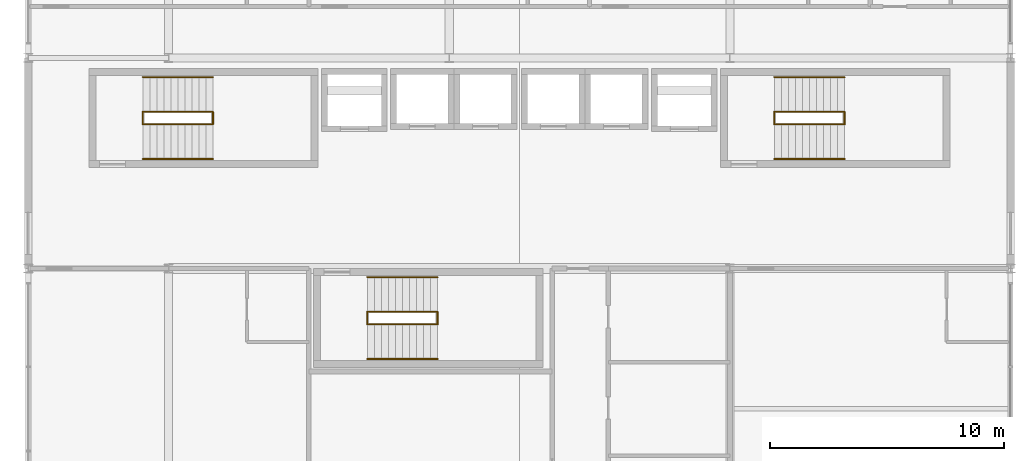
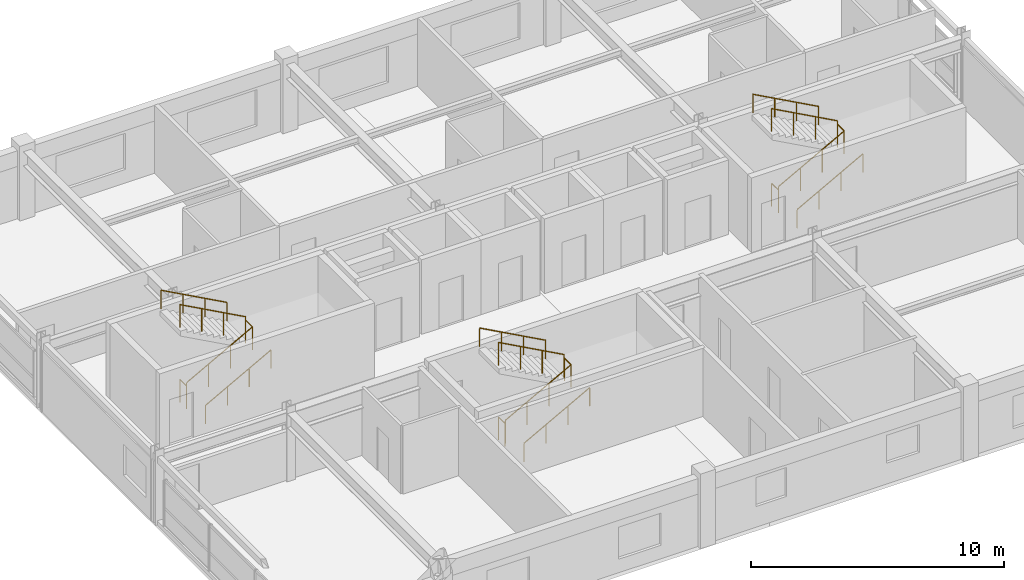
# One storey, part 22 of 22: 18 railings.
"""IFC4 building model written with IfcOpenShell, lengths in metres."""

from ifc_helpers import new_model, si_unit, direction, frame, origin, origin_2d, place, context, subcontext, project, spatial, circle, extrude, material, type_object, element, save


model = new_model("IFC4")

# Units and contexts
model_context = context("Model", 3, precision=1e-05, world=origin(), true_north=direction((0.0, 1.0)))
body_context = subcontext(model_context, "Body", "Model", "MODEL_VIEW")
ifc_project = project(units=[si_unit("LENGTHUNIT", "METRE"), si_unit("AREAUNIT", "SQUARE_METRE"), si_unit("VOLUMEUNIT", "CUBIC_METRE"), si_unit("PLANEANGLEUNIT", "RADIAN"), si_unit("MASSUNIT", "GRAM", prefix="KILO")], contexts=[model_context])

# Site, building, storey
site_placement = place(None, origin())
site = spatial("IfcSite", under=ifc_project, at=site_placement, CompositionType="ELEMENT")
building_placement = place(site_placement, origin())
building = spatial("IfcBuilding", under=site, at=building_placement, Name="Kaldorvane Square Convention Centre", CompositionType="ELEMENT")
storey_placement = place(building_placement, frame((0.0, 0.0, 63.600006103515625)))
storey = spatial("IfcBuildingStorey", under=building, at=storey_placement, Name="L15", CompositionType="ELEMENT", Elevation=63.600006103515625)

# Railings
ifc_material = material(Name="Architectural Painted Steel", Category="steel")
railing_type_1 = type_object("IfcRailingType", Name="RL-GUARD-1120", PredefinedType="BALUSTRADE", material=ifc_material)
for number, where, name in (
    (1, (40.899993896484375, 102.16999816894531, 0.0), "Tower Exit Stair T1 Floor Well Guard (L15)"),
    (2, (43.899993896484375, 102.16999816894531, 1.79998779296875), "Tower Exit Stair T1 Half-Landing Guard (L15)"),
):
    element("IfcRailing", number, at=place(storey_placement, frame(where)), inside=storey, type_object=railing_type_1, Name=name, PredefinedType="BALUSTRADE", context=body_context, shape_type="SweptSolid", body=[
        extrude(circle(Radius=0.0240020751953125, at=origin_2d()), frame((0.0, 0.0, 1.0959930419921875), z_axis=(0.0, 1.0, 0.0), x_axis=(-1.0, 0.0, 0.0)), (0.0, 0.0, 1.0), 0.5200042724609375),
        extrude(circle(Radius=0.02099609375, at=origin_2d()), origin(), (0.0, 0.0, 1.0), 1.071990966796875),
        extrude(circle(Radius=0.02099609375, at=origin_2d()), frame((0.0, 0.5200042724609375, 0.0)), (0.0, 0.0, 1.0), 1.071990966796875),
    ])
railing_1_placement = place(storey_placement, frame((40.899993896484375, 102.16000366210938, 0.16363525390625)))
element("IfcRailing", 3, at=railing_1_placement, inside=storey, type_object=railing_type_1, Name="Tower Exit Stair T1 Flight 1 Guard (L15)", PredefinedType="BALUSTRADE", context=body_context, shape_type="SweptSolid", body=[
    extrude(circle(Radius=0.0240020751953125, at=origin_2d()), frame((0.0, 0.0, 1.0959930419921875), z_axis=(0.877896938072, 0.0, 0.478849627883), x_axis=(0.0, 1.0, 0.0)), (0.0, 0.0, 1.0), 3.4172515869140625),
    extrude(circle(Radius=0.02099609375, at=origin_2d()), origin(), (0.0, 0.0, 1.0), 1.071990966796875),
    extrude(circle(Radius=0.02099609375, at=origin_2d()), frame((1.0, 0.0, 0.5454559326171875)), (0.0, 0.0, 1.0), 1.071990966796875),
    extrude(circle(Radius=0.02099609375, at=origin_2d()), frame((2.0, 0.0, 1.0908966064453125)), (0.0, 0.0, 1.0), 1.071990966796875),
    extrude(circle(Radius=0.02099609375, at=origin_2d()), frame((3.0, 0.0, 1.6363525390625)), (0.0, 0.0, 1.0), 1.071990966796875),
])
railing_2_placement = place(storey_placement, frame((43.899993896484375, 102.69999694824219, 1.963623046875)))
element("IfcRailing", 4, at=railing_2_placement, inside=storey, type_object=railing_type_1, Name="Tower Exit Stair T1 Flight 2 Guard (L15)", PredefinedType="BALUSTRADE", context=body_context, shape_type="SweptSolid", body=[
    extrude(circle(Radius=0.0240020751953125, at=origin_2d()), frame((0.0, 0.0, 1.0959930419921875), z_axis=(-0.87789506098, 0.0, 0.478853069227), x_axis=(0.0, -1.0, 0.0)), (0.0, 0.0, 1.0), 3.417266845703125),
    extrude(circle(Radius=0.02099609375, at=origin_2d()), origin(), (0.0, 0.0, 1.0), 1.071990966796875),
    extrude(circle(Radius=0.02099609375, at=origin_2d()), frame((-1.0, 0.0, 0.5454559326171875)), (0.0, 0.0, 1.0), 1.071990966796875),
    extrude(circle(Radius=0.02099609375, at=origin_2d()), frame((-2.0, 0.0, 1.090911865234375)), (0.0, 0.0, 1.0), 1.071990966796875),
    extrude(circle(Radius=0.02099609375, at=origin_2d()), frame((-3.0, 0.0, 1.6363677978515625)), (0.0, 0.0, 1.0), 1.071990966796875),
])
for number, where, name in (
    (5, (67.89999389648438, 102.16999816894531, 0.0), "Tower Exit Stair T2 Floor Well Guard (L15)"),
    (6, (70.89999389648438, 102.16999816894531, 1.79998779296875), "Tower Exit Stair T2 Half-Landing Guard (L15)"),
):
    element("IfcRailing", number, at=place(storey_placement, frame(where)), inside=storey, type_object=railing_type_1, Name=name, PredefinedType="BALUSTRADE", context=body_context, shape_type="SweptSolid", body=[
        extrude(circle(Radius=0.0240020751953125, at=origin_2d()), frame((0.0, 0.0, 1.0959930419921875), z_axis=(0.0, 1.0, 0.0), x_axis=(-1.0, 0.0, 0.0)), (0.0, 0.0, 1.0), 0.5200042724609375),
        extrude(circle(Radius=0.02099609375, at=origin_2d()), origin(), (0.0, 0.0, 1.0), 1.071990966796875),
        extrude(circle(Radius=0.02099609375, at=origin_2d()), frame((0.0, 0.5200042724609375, 0.0)), (0.0, 0.0, 1.0), 1.071990966796875),
    ])
railing_3_placement = place(storey_placement, frame((67.89999389648438, 102.16000366210938, 0.16363525390625)))
element("IfcRailing", 7, at=railing_3_placement, inside=storey, type_object=railing_type_1, Name="Tower Exit Stair T2 Flight 1 Guard (L15)", PredefinedType="BALUSTRADE", context=body_context, shape_type="SweptSolid", body=[
    extrude(circle(Radius=0.0240020751953125, at=origin_2d()), frame((0.0, 0.0, 1.0959930419921875), z_axis=(0.877896938072, 0.0, 0.478849627883), x_axis=(0.0, 1.0, 0.0)), (0.0, 0.0, 1.0), 3.4172515869140625),
    extrude(circle(Radius=0.02099609375, at=origin_2d()), origin(), (0.0, 0.0, 1.0), 1.071990966796875),
    extrude(circle(Radius=0.02099609375, at=origin_2d()), frame((1.0, 0.0, 0.5454559326171875)), (0.0, 0.0, 1.0), 1.071990966796875),
    extrude(circle(Radius=0.02099609375, at=origin_2d()), frame((2.0, 0.0, 1.0908966064453125)), (0.0, 0.0, 1.0), 1.071990966796875),
    extrude(circle(Radius=0.02099609375, at=origin_2d()), frame((3.0, 0.0, 1.6363525390625)), (0.0, 0.0, 1.0), 1.071990966796875),
])
railing_4_placement = place(storey_placement, frame((70.89999389648438, 102.69999694824219, 1.963623046875)))
element("IfcRailing", 8, at=railing_4_placement, inside=storey, type_object=railing_type_1, Name="Tower Exit Stair T2 Flight 2 Guard (L15)", PredefinedType="BALUSTRADE", context=body_context, shape_type="SweptSolid", body=[
    extrude(circle(Radius=0.0240020751953125, at=origin_2d()), frame((0.0, 0.0, 1.0959930419921875), z_axis=(-0.87789506098, 0.0, 0.478853069227), x_axis=(0.0, -1.0, 0.0)), (0.0, 0.0, 1.0), 3.417266845703125),
    extrude(circle(Radius=0.02099609375, at=origin_2d()), origin(), (0.0, 0.0, 1.0), 1.071990966796875),
    extrude(circle(Radius=0.02099609375, at=origin_2d()), frame((-1.0, 0.0, 0.5454559326171875)), (0.0, 0.0, 1.0), 1.071990966796875),
    extrude(circle(Radius=0.02099609375, at=origin_2d()), frame((-2.0, 0.0, 1.090911865234375)), (0.0, 0.0, 1.0), 1.071990966796875),
    extrude(circle(Radius=0.02099609375, at=origin_2d()), frame((-3.0, 0.0, 1.6363677978515625)), (0.0, 0.0, 1.0), 1.071990966796875),
])
for number, where, name in (
    (9, (50.5, 93.6199951171875, 0.0), "Tower Exit Stair T3 Floor Well Guard (L15)"),
    (10, (53.5, 93.6199951171875, 1.79998779296875), "Tower Exit Stair T3 Half-Landing Guard (L15)"),
):
    element("IfcRailing", number, at=place(storey_placement, frame(where)), inside=storey, type_object=railing_type_1, Name=name, PredefinedType="BALUSTRADE", context=body_context, shape_type="SweptSolid", body=[
        extrude(circle(Radius=0.0240020751953125, at=origin_2d()), frame((0.0, 0.0, 1.0959930419921875), z_axis=(0.0, 1.0, 0.0), x_axis=(-1.0, 0.0, 0.0)), (0.0, 0.0, 1.0), 0.5200042724609375),
        extrude(circle(Radius=0.02099609375, at=origin_2d()), origin(), (0.0, 0.0, 1.0), 1.071990966796875),
        extrude(circle(Radius=0.02099609375, at=origin_2d()), frame((0.0, 0.5200042724609375, 0.0)), (0.0, 0.0, 1.0), 1.071990966796875),
    ])
railing_5_placement = place(storey_placement, frame((50.5, 93.61000061035156, 0.16363525390625)))
element("IfcRailing", 11, at=railing_5_placement, inside=storey, type_object=railing_type_1, Name="Tower Exit Stair T3 Flight 1 Guard (L15)", PredefinedType="BALUSTRADE", context=body_context, shape_type="SweptSolid", body=[
    extrude(circle(Radius=0.0240020751953125, at=origin_2d()), frame((0.0, 0.0, 1.0959930419921875), z_axis=(0.877896938072, 0.0, 0.478849627883), x_axis=(0.0, 1.0, 0.0)), (0.0, 0.0, 1.0), 3.4172515869140625),
    extrude(circle(Radius=0.02099609375, at=origin_2d()), origin(), (0.0, 0.0, 1.0), 1.071990966796875),
    extrude(circle(Radius=0.02099609375, at=origin_2d()), frame((1.0, 0.0, 0.5454559326171875)), (0.0, 0.0, 1.0), 1.071990966796875),
    extrude(circle(Radius=0.02099609375, at=origin_2d()), frame((2.0, 0.0, 1.0908966064453125)), (0.0, 0.0, 1.0), 1.071990966796875),
    extrude(circle(Radius=0.02099609375, at=origin_2d()), frame((3.0, 0.0, 1.6363525390625)), (0.0, 0.0, 1.0), 1.071990966796875),
])
railing_6_placement = place(storey_placement, frame((53.5, 94.14999389648438, 1.963623046875)))
element("IfcRailing", 12, at=railing_6_placement, inside=storey, type_object=railing_type_1, Name="Tower Exit Stair T3 Flight 2 Guard (L15)", PredefinedType="BALUSTRADE", context=body_context, shape_type="SweptSolid", body=[
    extrude(circle(Radius=0.0240020751953125, at=origin_2d()), frame((0.0, 0.0, 1.0959930419921875), z_axis=(-0.87789506098, 0.0, 0.478853069227), x_axis=(0.0, -1.0, 0.0)), (0.0, 0.0, 1.0), 3.417266845703125),
    extrude(circle(Radius=0.02099609375, at=origin_2d()), origin(), (0.0, 0.0, 1.0), 1.071990966796875),
    extrude(circle(Radius=0.02099609375, at=origin_2d()), frame((-1.0, 0.0, 0.5454559326171875)), (0.0, 0.0, 1.0), 1.071990966796875),
    extrude(circle(Radius=0.02099609375, at=origin_2d()), frame((-2.0, 0.0, 1.090911865234375)), (0.0, 0.0, 1.0), 1.071990966796875),
    extrude(circle(Radius=0.02099609375, at=origin_2d()), frame((-3.0, 0.0, 1.6363677978515625)), (0.0, 0.0, 1.0), 1.071990966796875),
])
railing_type_2 = type_object("IfcRailingType", Name="RL-HAND-915", PredefinedType="HANDRAIL", material=ifc_material)
railing_7_placement = place(storey_placement, frame((40.899993896484375, 100.67999267578125, 0.16363525390625)))
element("IfcRailing", 13, at=railing_7_placement, inside=storey, type_object=railing_type_2, Name="Tower Exit Stair T1 Wall Handrail 1 (L15)", PredefinedType="HANDRAIL", context=body_context, shape_type="SweptSolid", body=[
    extrude(circle(Radius=0.0240020751953125, at=origin_2d()), frame((0.0, 0.0, 0.8909912109375), z_axis=(0.877896938072, 0.0, 0.478849627883), x_axis=(0.0, 1.0, 0.0)), (0.0, 0.0, 1.0), 3.4172515869140625),
    extrude(circle(Radius=0.02099609375, at=origin_2d()), origin(), (0.0, 0.0, 1.0), 0.8669891357421875),
    extrude(circle(Radius=0.02099609375, at=origin_2d()), frame((1.0, 0.0, 0.5454559326171875)), (0.0, 0.0, 1.0), 0.8669891357421875),
    extrude(circle(Radius=0.02099609375, at=origin_2d()), frame((2.0, 0.0, 1.0908966064453125)), (0.0, 0.0, 1.0), 0.8669891357421875),
    extrude(circle(Radius=0.02099609375, at=origin_2d()), frame((3.0, 0.0, 1.6363525390625)), (0.0, 0.0, 1.0), 0.8669891357421875),
])
railing_8_placement = place(storey_placement, frame((43.899993896484375, 104.17999267578125, 1.963623046875)))
element("IfcRailing", 14, at=railing_8_placement, inside=storey, type_object=railing_type_2, Name="Tower Exit Stair T1 Wall Handrail 2 (L15)", PredefinedType="HANDRAIL", context=body_context, shape_type="SweptSolid", body=[
    extrude(circle(Radius=0.0240020751953125, at=origin_2d()), frame((0.0, 0.0, 0.8909912109375), z_axis=(-0.87789506098, 0.0, 0.478853069227), x_axis=(0.0, -1.0, 0.0)), (0.0, 0.0, 1.0), 3.417266845703125),
    extrude(circle(Radius=0.02099609375, at=origin_2d()), origin(), (0.0, 0.0, 1.0), 0.8669891357421875),
    extrude(circle(Radius=0.02099609375, at=origin_2d()), frame((-1.0, 0.0, 0.5454559326171875)), (0.0, 0.0, 1.0), 0.8669891357421875),
    extrude(circle(Radius=0.02099609375, at=origin_2d()), frame((-2.0, 0.0, 1.090911865234375)), (0.0, 0.0, 1.0), 0.8669891357421875),
    extrude(circle(Radius=0.02099609375, at=origin_2d()), frame((-3.0, 0.0, 1.6363677978515625)), (0.0, 0.0, 1.0), 0.8669891357421875),
])
railing_9_placement = place(storey_placement, frame((67.89999389648438, 100.67999267578125, 0.16363525390625)))
element("IfcRailing", 15, at=railing_9_placement, inside=storey, type_object=railing_type_2, Name="Tower Exit Stair T2 Wall Handrail 1 (L15)", PredefinedType="HANDRAIL", context=body_context, shape_type="SweptSolid", body=[
    extrude(circle(Radius=0.0240020751953125, at=origin_2d()), frame((0.0, 0.0, 0.8909912109375), z_axis=(0.877896938072, 0.0, 0.478849627883), x_axis=(0.0, 1.0, 0.0)), (0.0, 0.0, 1.0), 3.4172515869140625),
    extrude(circle(Radius=0.02099609375, at=origin_2d()), origin(), (0.0, 0.0, 1.0), 0.8669891357421875),
    extrude(circle(Radius=0.02099609375, at=origin_2d()), frame((1.0, 0.0, 0.5454559326171875)), (0.0, 0.0, 1.0), 0.8669891357421875),
    extrude(circle(Radius=0.02099609375, at=origin_2d()), frame((2.0, 0.0, 1.0908966064453125)), (0.0, 0.0, 1.0), 0.8669891357421875),
    extrude(circle(Radius=0.02099609375, at=origin_2d()), frame((3.0, 0.0, 1.6363525390625)), (0.0, 0.0, 1.0), 0.8669891357421875),
])
railing_10_placement = place(storey_placement, frame((70.89999389648438, 104.17999267578125, 1.963623046875)))
element("IfcRailing", 16, at=railing_10_placement, inside=storey, type_object=railing_type_2, Name="Tower Exit Stair T2 Wall Handrail 2 (L15)", PredefinedType="HANDRAIL", context=body_context, shape_type="SweptSolid", body=[
    extrude(circle(Radius=0.0240020751953125, at=origin_2d()), frame((0.0, 0.0, 0.8909912109375), z_axis=(-0.87789506098, 0.0, 0.478853069227), x_axis=(0.0, -1.0, 0.0)), (0.0, 0.0, 1.0), 3.417266845703125),
    extrude(circle(Radius=0.02099609375, at=origin_2d()), origin(), (0.0, 0.0, 1.0), 0.8669891357421875),
    extrude(circle(Radius=0.02099609375, at=origin_2d()), frame((-1.0, 0.0, 0.5454559326171875)), (0.0, 0.0, 1.0), 0.8669891357421875),
    extrude(circle(Radius=0.02099609375, at=origin_2d()), frame((-2.0, 0.0, 1.090911865234375)), (0.0, 0.0, 1.0), 0.8669891357421875),
    extrude(circle(Radius=0.02099609375, at=origin_2d()), frame((-3.0, 0.0, 1.6363677978515625)), (0.0, 0.0, 1.0), 0.8669891357421875),
])
railing_11_placement = place(storey_placement, frame((50.5, 92.1300048828125, 0.16363525390625)))
element("IfcRailing", 17, at=railing_11_placement, inside=storey, type_object=railing_type_2, Name="Tower Exit Stair T3 Wall Handrail 1 (L15)", PredefinedType="HANDRAIL", context=body_context, shape_type="SweptSolid", body=[
    extrude(circle(Radius=0.0240020751953125, at=origin_2d()), frame((0.0, 0.0, 0.8909912109375), z_axis=(0.877896938072, 0.0, 0.478849627883), x_axis=(0.0, 1.0, 0.0)), (0.0, 0.0, 1.0), 3.4172515869140625),
    extrude(circle(Radius=0.02099609375, at=origin_2d()), origin(), (0.0, 0.0, 1.0), 0.8669891357421875),
    extrude(circle(Radius=0.02099609375, at=origin_2d()), frame((1.0, 0.0, 0.5454559326171875)), (0.0, 0.0, 1.0), 0.8669891357421875),
    extrude(circle(Radius=0.02099609375, at=origin_2d()), frame((2.0, 0.0, 1.0908966064453125)), (0.0, 0.0, 1.0), 0.8669891357421875),
    extrude(circle(Radius=0.02099609375, at=origin_2d()), frame((3.0, 0.0, 1.6363525390625)), (0.0, 0.0, 1.0), 0.8669891357421875),
])
railing_12_placement = place(storey_placement, frame((53.5, 95.6300048828125, 1.963623046875)))
element("IfcRailing", 18, at=railing_12_placement, inside=storey, type_object=railing_type_2, Name="Tower Exit Stair T3 Wall Handrail 2 (L15)", PredefinedType="HANDRAIL", context=body_context, shape_type="SweptSolid", body=[
    extrude(circle(Radius=0.0240020751953125, at=origin_2d()), frame((0.0, 0.0, 0.8909912109375), z_axis=(-0.87789506098, 0.0, 0.478853069227), x_axis=(0.0, -1.0, 0.0)), (0.0, 0.0, 1.0), 3.417266845703125),
    extrude(circle(Radius=0.02099609375, at=origin_2d()), origin(), (0.0, 0.0, 1.0), 0.8669891357421875),
    extrude(circle(Radius=0.02099609375, at=origin_2d()), frame((-1.0, 0.0, 0.5454559326171875)), (0.0, 0.0, 1.0), 0.8669891357421875),
    extrude(circle(Radius=0.02099609375, at=origin_2d()), frame((-2.0, 0.0, 1.090911865234375)), (0.0, 0.0, 1.0), 0.8669891357421875),
    extrude(circle(Radius=0.02099609375, at=origin_2d()), frame((-3.0, 0.0, 1.6363677978515625)), (0.0, 0.0, 1.0), 0.8669891357421875),
])

save(model, "model.ifc")
